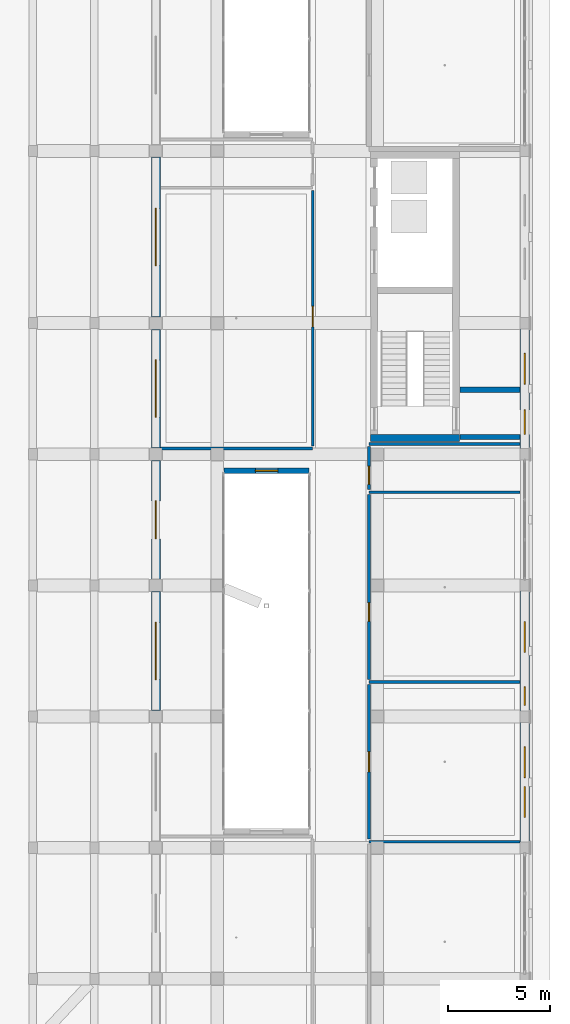
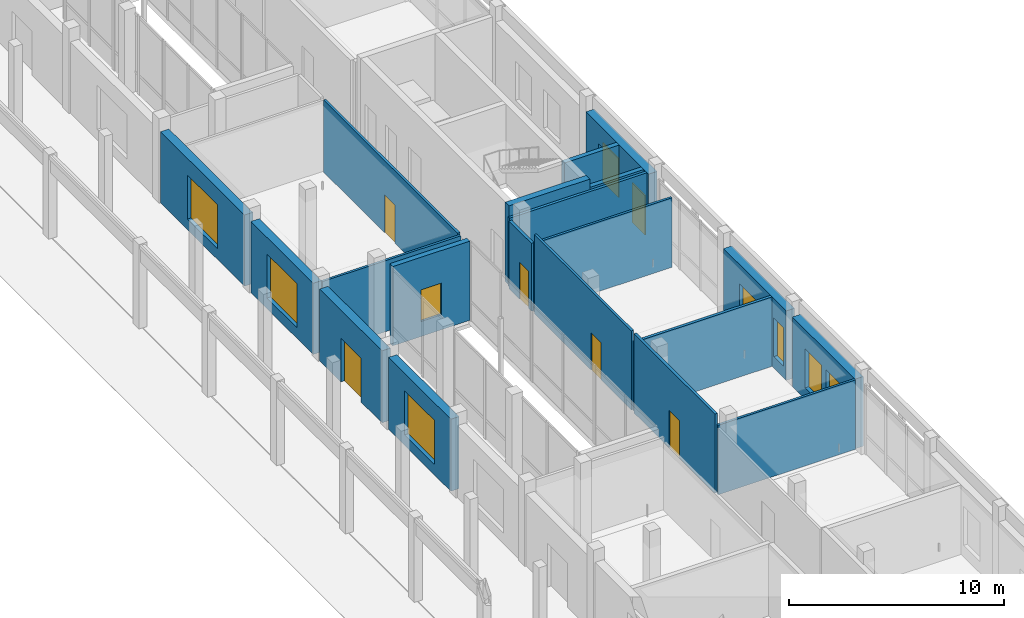
# One storey, part 53 of 88: 20 walls, 9 windows, 6 doors, 15 openings.
"""IFC4 building model written with IfcOpenShell, lengths in metres."""

from ifc_helpers import new_model, si_unit, derived_unit, direction, frame, frame_2d, origin, origin_with_axes, place, context, subcontext, project, spatial, rectangle, extrude, material, layer, layer_set, type_object, element, fill, save


model = new_model("IFC4")

# Units and contexts
model_context = context("Model", 3, precision=1e-05, world=origin(), true_north=direction((0.0, 1.0)))
body_context = subcontext(model_context, "Body", "Model", "MODEL_VIEW")
ifc_project = project(units=[si_unit("LENGTHUNIT", "METRE"), si_unit("AREAUNIT", "SQUARE_METRE"), si_unit("VOLUMEUNIT", "CUBIC_METRE"), si_unit("PLANEANGLEUNIT", "RADIAN"), si_unit("MASSUNIT", "GRAM", prefix="KILO"), derived_unit("THERMALTRANSMITTANCEUNIT", [(si_unit("POWERUNIT", "WATT"), 1), (si_unit("LENGTHUNIT", "METRE"), -2), (si_unit("THERMODYNAMICTEMPERATUREUNIT", "KELVIN"), -1)])], contexts=[model_context])

# Site, building, storey
site_placement = place(None, origin())
site = spatial("IfcSite", under=ifc_project, at=site_placement, CompositionType="ELEMENT")
building_placement = place(site_placement, origin())
building = spatial("IfcBuilding", under=site, at=building_placement, Name="Braskholm Square Health Centre", CompositionType="ELEMENT")
storey_placement = place(building_placement, origin())
storey = spatial("IfcBuildingStorey", under=building, at=storey_placement, Name="L01", CompositionType="ELEMENT", Elevation=0.0)

# Wall
ifc_material_1 = material(Name="Acoustic gypsum board partition")
ifc_layer_1 = layer(ifc_material_1, 0.125)
ifc_layer_set_1 = layer_set([ifc_layer_1], Name="Acoustic gypsum board partition")
wall_type_1 = type_object("IfcWallType", Name="ClinicalExamPartition125", PredefinedType="PARTITIONING", material=ifc_layer_set_1)
wall_1_placement = place(storey_placement, frame((156.199951171875, 30.10009765625, 0.0), z_axis=(0.0, 0.0, 1.0), x_axis=(1.0, 0.0, 0.0)))
element("IfcWall", 1, at=wall_1_placement, inside=storey, type_object=wall_type_1, Name="Interior partition PWALL-L01-0296", PredefinedType="PARTITIONING", context=body_context, shape_type="SweptSolid", body=[
    extrude(rectangle(XDim=7.375, YDim=0.125, at=frame_2d((3.6875, 0.0))), origin(), (0.0, 0.0, 1.0), 3.945068359375),
])

# Wall, opening, door
wall_2_placement = place(storey_placement, frame((156.199951171875, 38.0, 0.0), z_axis=(0.0, 0.0, 1.0), x_axis=(0.0, 1.0, 0.0)))
wall_2 = element("IfcWall", 2, at=wall_2_placement, inside=storey, type_object=wall_type_1, Name="Interior partition PWALL-L01-0299", PredefinedType="PARTITIONING", context=body_context, shape_type="SweptSolid", body=[
    extrude(rectangle(XDim=9.030029296875, YDim=0.125, at=frame_2d((4.51513671875, 0.0))), origin(), (0.0, 0.0, 1.0), 4.4951171875),
])
opening_1_placement = place(wall_2_placement, frame((2.846923828125, 0.0, 0.0)))
opening_1 = element("IfcOpeningElement", 3, at=opening_1_placement, cuts=wall_2, Name="Opening D-07", PredefinedType="OPENING", context=body_context, shape_type="SweptSolid", body=[
    extrude(rectangle(XDim=0.89990234375, YDim=2.1201171875, at=frame_2d((0.449951171875, 1.06005859375))), frame((0.0, 0.072509765625, 0.0), z_axis=(0.0, -1.0, 0.0), x_axis=(1.0, 0.0, 0.0)), (0.0, 0.0, 1.0), 0.14501953125),
])
ifc_material_2 = material(Name="Architectural bronze anodised aluminium", Category="aluminium")
door_type_1 = type_object("IfcDoorType", Name="DoorProviderOffice900x2120", OperationType="NOTDEFINED", PredefinedType="DOOR", material=ifc_material_2)
door_1_placement = place(opening_1_placement, frame((0.89990234375, 0.0, 0.0), z_axis=(0.0, 0.0, 1.0), x_axis=(-1.0, 0.0, 0.0)))
door_1 = element("IfcDoor", 4, at=door_1_placement, inside=storey, type_object=door_type_1, Name="Interior door 0139 L01", OperationType="SINGLE_SWING_LEFT", OverallHeight=2.1201171875, OverallWidth=0.89990234375, PredefinedType="DOOR", context=body_context, shape_type="SweptSolid", body=[
    extrude(rectangle(XDim=0.89990234375, YDim=2.1201171875, at=frame_2d((0.449951171875, 1.06005859375))), frame((0.0, 0.02490234375, 0.0), z_axis=(0.0, -1.0, 0.0), x_axis=(1.0, 0.0, 0.0)), (0.0, 0.0, 1.0), 0.050048828125),
])
fill(opening_1, door_1)

# Wall
wall_3_placement = place(storey_placement, frame((156.199951171875, 47.14990234375, 0.0), z_axis=(0.0, 0.0, 1.0), x_axis=(1.0, 0.0, 0.0)))
element("IfcWall", 5, at=wall_3_placement, inside=storey, type_object=wall_type_1, Name="Interior partition PWALL-L01-0300", PredefinedType="PARTITIONING", context=body_context, shape_type="SweptSolid", body=[
    extrude(rectangle(XDim=7.375, YDim=0.125, at=frame_2d((3.6875, 0.0))), origin(), (0.0, 0.0, 1.0), 3.945068359375),
])

# Wall, opening, door
wall_4_placement = place(storey_placement, frame((153.449951171875, 49.39990234375, 0.0), z_axis=(0.0, 0.0, 1.0), x_axis=(0.0, 1.0, 0.0)))
wall_4 = element("IfcWall", 6, at=wall_4_placement, inside=storey, type_object=wall_type_1, Name="Interior partition PWALL-L01-0323", PredefinedType="PARTITIONING", context=body_context, shape_type="SweptSolid", body=[
    extrude(rectangle(XDim=12.47998046875, YDim=0.125, at=frame_2d((6.239990234375, 0.0))), origin(), (0.0, 0.0, 1.0), 4.094970703125),
])
opening_2_placement = place(wall_4_placement, frame((5.81494140625, 0.0, 0.0)))
opening_2 = element("IfcOpeningElement", 7, at=opening_2_placement, cuts=wall_4, Name="Opening D-02", PredefinedType="OPENING", context=body_context, shape_type="SweptSolid", body=[
    extrude(rectangle(XDim=1.0, YDim=2.14990234375, at=frame_2d((0.5, 1.074951171875))), frame((0.0, 0.072509765625, 0.0), z_axis=(0.0, -1.0, 0.0), x_axis=(1.0, 0.0, 0.0)), (0.0, 0.0, 1.0), 0.14501953125),
])
door_type_2 = type_object("IfcDoorType", Name="DoorExamSingle1000x2150", OperationType="NOTDEFINED", PredefinedType="DOOR", material=ifc_material_2)
door_2_placement = place(opening_2_placement, origin_with_axes())
door_2 = element("IfcDoor", 8, at=door_2_placement, inside=storey, type_object=door_type_2, Name="Interior door 0151 L01", OperationType="SINGLE_SWING_LEFT", OverallHeight=2.14990234375, OverallWidth=1.0, PredefinedType="DOOR", context=body_context, shape_type="SweptSolid", body=[
    extrude(rectangle(XDim=1.0, YDim=2.14990234375, at=frame_2d((0.5, 1.074951171875))), frame((0.0, 0.02490234375, 0.0), z_axis=(0.0, -1.0, 0.0), x_axis=(1.0, 0.0, 0.0)), (0.0, 0.0, 1.0), 0.050048828125),
])
fill(opening_2, door_2)

# Wall
wall_5_placement = place(storey_placement, frame((146.02490234375, 49.280029296875, 0.0), z_axis=(0.0, 0.0, 1.0), x_axis=(1.0, 0.0, 0.0)))
element("IfcWall", 9, at=wall_5_placement, inside=storey, type_object=wall_type_1, Name="Interior partition PWALL-L01-0324", PredefinedType="PARTITIONING", context=body_context, shape_type="SweptSolid", body=[
    extrude(rectangle(XDim=7.425048828125, YDim=0.125, at=frame_2d((3.71240234375, 0.0))), origin(), (0.0, 0.0, 1.0), 4.034912109375),
])

# Wall, opening, door
ifc_layer_2 = layer(ifc_material_1, 0.14990234375)
ifc_layer_set_2 = layer_set([ifc_layer_2], Name="Acoustic gypsum board partition")
wall_type_2 = type_object("IfcWallType", Name="CorridorAcousticPartition150", PredefinedType="PARTITIONING", material=ifc_layer_set_2)
wall_6_placement = place(storey_placement, frame((156.199951171875, 30.219970703125, 0.0), z_axis=(0.0, 0.0, 1.0), x_axis=(0.0, 1.0, 0.0)))
wall_6 = element("IfcWall", 10, at=wall_6_placement, inside=storey, type_object=wall_type_2, Name="Interior partition PWALL-L01-0297", PredefinedType="PARTITIONING", context=body_context, shape_type="SweptSolid", body=[
    extrude(rectangle(XDim=7.5400390625, YDim=0.14990234375, at=frame_2d((3.77001953125, 0.0))), origin(), (0.0, 0.0, 1.0), 4.4951171875),
])
opening_3_placement = place(wall_6_placement, frame((3.280029296875, 0.0, 0.0)))
opening_3 = element("IfcOpeningElement", 11, at=opening_3_placement, cuts=wall_6, Name="Opening D-10", PredefinedType="OPENING", context=body_context, shape_type="SweptSolid", body=[
    extrude(rectangle(XDim=0.97998046875, YDim=2.1201171875, at=frame_2d((0.489990234375, 1.06005859375))), frame((0.0, 0.0849609375, 0.0), z_axis=(0.0, -1.0, 0.0), x_axis=(1.0, 0.0, 0.0)), (0.0, 0.0, 1.0), 0.169921875),
])
door_type_3 = type_object("IfcDoorType", Name="DoorUtilityStore980x2120", OperationType="NOTDEFINED", PredefinedType="DOOR", material=ifc_material_2)
door_3_placement = place(opening_3_placement, frame((0.97998046875, 0.0, 0.0), z_axis=(0.0, 0.0, 1.0), x_axis=(-1.0, 0.0, 0.0)))
door_3 = element("IfcDoor", 12, at=door_3_placement, inside=storey, type_object=door_type_3, Name="Interior door 0138 L01", OperationType="SINGLE_SWING_RIGHT", OverallHeight=2.1201171875, OverallWidth=0.97998046875, PredefinedType="DOOR", context=body_context, shape_type="SweptSolid", body=[
    extrude(rectangle(XDim=0.97998046875, YDim=2.1201171875, at=frame_2d((0.489990234375, 1.06005859375))), frame((0.0, 0.02490234375, 0.0), z_axis=(0.0, -1.0, 0.0), x_axis=(1.0, 0.0, 0.0)), (0.0, 0.0, 1.0), 0.050048828125),
])
fill(opening_3, door_3)

# Wall
wall_7_placement = place(storey_placement, frame((156.199951171875, 37.8798828125, 0.0), z_axis=(0.0, 0.0, 1.0), x_axis=(1.0, 0.0, 0.0)))
element("IfcWall", 13, at=wall_7_placement, inside=storey, type_object=wall_type_2, Name="Interior partition PWALL-L01-0298", PredefinedType="PARTITIONING", context=body_context, shape_type="SweptSolid", body=[
    extrude(rectangle(XDim=7.375, YDim=0.14990234375, at=frame_2d((3.6875, 0.0))), origin(), (0.0, 0.0, 1.0), 3.945068359375),
])

# Wall, opening, door
wall_8_placement = place(storey_placement, frame((156.199951171875, 47.27001953125, 0.0), z_axis=(0.0, 0.0, 1.0), x_axis=(0.0, 1.0, 0.0)))
wall_8 = element("IfcWall", 14, at=wall_8_placement, inside=storey, type_object=wall_type_2, Name="Interior partition PWALL-L01-0301", PredefinedType="PARTITIONING", context=body_context, shape_type="SweptSolid", body=[
    extrude(rectangle(XDim=2.10986328125, YDim=0.14990234375, at=frame_2d((1.054931640625, 0.0))), origin(), (0.0, 0.0, 1.0), 3.844970703125),
])
opening_4_placement = place(wall_8_placement, frame((0.260009765625, 0.0, 0.0)))
opening_4 = element("IfcOpeningElement", 15, at=opening_4_placement, cuts=wall_8, Name="Opening D-06", PredefinedType="OPENING", context=body_context, shape_type="SweptSolid", body=[
    extrude(rectangle(XDim=0.8798828125, YDim=2.10009765625, at=frame_2d((0.43994140625, 1.050048828125))), frame((0.0, 0.0849609375, 0.0), z_axis=(0.0, -1.0, 0.0), x_axis=(1.0, 0.0, 0.0)), (0.0, 0.0, 1.0), 0.169921875),
])
door_type_4 = type_object("IfcDoorType", Name="DoorStaffWC880x2100", OperationType="NOTDEFINED", PredefinedType="DOOR", material=ifc_material_2)
door_4_placement = place(opening_4_placement, frame((0.8798828125, 0.0, 0.0), z_axis=(0.0, 0.0, 1.0), x_axis=(-1.0, 0.0, 0.0)))
door_4 = element("IfcDoor", 16, at=door_4_placement, inside=storey, type_object=door_type_4, Name="Interior door 0140 L01", OperationType="SINGLE_SWING_RIGHT", OverallHeight=2.10009765625, OverallWidth=0.8798828125, PredefinedType="DOOR", context=body_context, shape_type="SweptSolid", body=[
    extrude(rectangle(XDim=0.8798828125, YDim=2.10009765625, at=frame_2d((0.43994140625, 1.050048828125))), frame((0.0, 0.02490234375, 0.0), z_axis=(0.0, -1.0, 0.0), x_axis=(1.0, 0.0, 0.0)), (0.0, 0.0, 1.0), 0.050048828125),
])
fill(opening_4, door_4)

# Wall
wall_9_placement = place(storey_placement, frame((156.199951171875, 49.5, 0.0), z_axis=(0.0, 0.0, 1.0), x_axis=(1.0, 0.0, 0.0)))
element("IfcWall", 17, at=wall_9_placement, inside=storey, type_object=wall_type_2, Name="Interior partition PWALL-L01-0302", PredefinedType="PARTITIONING", context=body_context, shape_type="SweptSolid", body=[
    extrude(rectangle(XDim=7.375, YDim=0.14990234375, at=frame_2d((3.6875, 0.0))), origin(), (0.0, 0.0, 1.0), 3.945068359375),
])

# Wall, openings, windows
ifc_material_3 = material(Name="Mankato-Kasota dolomitic limestone ashlar", Category="masonry")
ifc_layer_3 = layer(ifc_material_3, 0.449951171875)
ifc_layer_set_3 = layer_set([ifc_layer_3], Name="Mankato-Kasota dolomitic limestone ashlar")
wall_type_3 = type_object("IfcWallType", Name="ExteriorKasotaWall450", PredefinedType="SOLIDWALL", material=ifc_layer_set_3)
wall_10_placement = place(storey_placement, frame((163.800048828125, 30.08203125, 0.0), z_axis=(0.0, 0.0, 1.0), x_axis=(0.0, 1.0, 0.0)))
wall_10 = element("IfcWall", 18, at=wall_10_placement, inside=storey, type_object=wall_type_3, Name="Exterior wall EWALL-L01-0054", PredefinedType="SOLIDWALL", context=body_context, shape_type="SweptSolid", body=[
    extrude(rectangle(XDim=5.8359375, YDim=0.449951171875, at=frame_2d((2.91796875, 0.0))), origin(), (0.0, 0.0, 1.0), 3.949951171875),
])
opening_5_placement = place(wall_10_placement, frame((1.195068359375, 0.0, 0.64990234375)))
opening_5 = element("IfcOpeningElement", 19, at=opening_5_placement, cuts=wall_10, Name="Opening WN-03", PredefinedType="OPENING", context=body_context, shape_type="SweptSolid", body=[
    extrude(rectangle(XDim=1.5, YDim=2.199951171875, at=frame_2d((0.75, 1.10009765625))), frame((0.0, 0.23486328125, 0.0), z_axis=(0.0, -1.0, 0.0), x_axis=(1.0, 0.0, 0.0)), (0.0, 0.0, 1.0), 0.469970703125),
])
opening_6_placement = place(wall_10_placement, frame((3.14111328125, 0.0, 0.64990234375)))
opening_6 = element("IfcOpeningElement", 20, at=opening_6_placement, cuts=wall_10, Name="Opening WN-03", PredefinedType="OPENING", context=body_context, shape_type="SweptSolid", body=[
    extrude(rectangle(XDim=1.5, YDim=2.199951171875, at=frame_2d((0.75, 1.10009765625))), frame((0.0, 0.23486328125, 0.0), z_axis=(0.0, -1.0, 0.0), x_axis=(1.0, 0.0, 0.0)), (0.0, 0.0, 1.0), 0.469970703125),
])
ifc_material_4 = material(Name="Low-E triple insulating glass (VLT 0.64)", Category="glass")
window_type_1 = type_object("IfcWindowType", Name="WinArtDecoTwin1500x2200", PartitioningType="SINGLE_PANEL", PredefinedType="WINDOW", material=ifc_material_4)
window_1_placement = place(opening_5_placement, origin_with_axes())
window_1 = element("IfcWindow", 21, at=window_1_placement, inside=storey, type_object=window_type_1, Name="Exterior window 0093 L01", OverallHeight=2.199951171875, OverallWidth=1.5, PartitioningType="SINGLE_PANEL", PredefinedType="WINDOW", context=body_context, shape_type="SweptSolid", body=[
    extrude(rectangle(XDim=1.5, YDim=2.199951171875, at=frame_2d((0.75, 1.10009765625))), frame((0.0, 0.030029296875, 0.0), z_axis=(0.0, -1.0, 0.0), x_axis=(1.0, 0.0, 0.0)), (0.0, 0.0, 1.0), 0.06005859375),
])
fill(opening_5, window_1)
window_2_placement = place(opening_6_placement, origin_with_axes())
window_2 = element("IfcWindow", 22, at=window_2_placement, inside=storey, type_object=window_type_1, Name="Exterior window 0094 L01", OverallHeight=2.199951171875, OverallWidth=1.5, PartitioningType="SINGLE_PANEL", PredefinedType="WINDOW", context=body_context, shape_type="SweptSolid", body=[
    extrude(rectangle(XDim=1.5, YDim=2.199951171875, at=frame_2d((0.75, 1.10009765625))), frame((0.0, 0.030029296875, 0.0), z_axis=(0.0, -1.0, 0.0), x_axis=(1.0, 0.0, 0.0)), (0.0, 0.0, 1.0), 0.06005859375),
])
fill(opening_6, window_2)

wall_11_placement = place(storey_placement, frame((163.800048828125, 36.48193359375, 0.0), z_axis=(0.0, 0.0, 1.0), x_axis=(0.0, 1.0, 0.0)))
wall_11 = element("IfcWall", 23, at=wall_11_placement, inside=storey, type_object=wall_type_3, Name="Exterior wall EWALL-L01-0055", PredefinedType="SOLIDWALL", context=body_context, shape_type="SweptSolid", body=[
    extrude(rectangle(XDim=5.836181640625, YDim=0.449951171875, at=frame_2d((2.91796875, 0.0))), origin(), (0.0, 0.0, 1.0), 3.949951171875),
])
opening_7_placement = place(wall_11_placement, frame((0.261962890625, 0.0, 0.64990234375)))
opening_7 = element("IfcOpeningElement", 24, at=opening_7_placement, cuts=wall_11, Name="Opening WN-01", PredefinedType="OPENING", context=body_context, shape_type="SweptSolid", body=[
    extrude(rectangle(XDim=0.89990234375, YDim=2.199951171875, at=frame_2d((0.449951171875, 1.10009765625))), frame((0.0, 0.23486328125, 0.0), z_axis=(0.0, -1.0, 0.0), x_axis=(1.0, 0.0, 0.0)), (0.0, 0.0, 1.0), 0.469970703125),
])
opening_8_placement = place(wall_11_placement, frame((2.85400390625, 0.0, 0.64990234375)))
opening_8 = element("IfcOpeningElement", 25, at=opening_8_placement, cuts=wall_11, Name="Opening WN-03", PredefinedType="OPENING", context=body_context, shape_type="SweptSolid", body=[
    extrude(rectangle(XDim=1.5, YDim=2.199951171875, at=frame_2d((0.75, 1.10009765625))), frame((0.0, 0.23486328125, 0.0), z_axis=(0.0, -1.0, 0.0), x_axis=(1.0, 0.0, 0.0)), (0.0, 0.0, 1.0), 0.469970703125),
])
window_type_2 = type_object("IfcWindowType", Name="WinArtDecoLancet900x2200", PartitioningType="SINGLE_PANEL", PredefinedType="WINDOW", material=ifc_material_4)
window_3_placement = place(opening_7_placement, origin_with_axes())
window_3 = element("IfcWindow", 26, at=window_3_placement, inside=storey, type_object=window_type_2, Name="Exterior window 0095 L01", OverallHeight=2.199951171875, OverallWidth=0.89990234375, PartitioningType="SINGLE_PANEL", PredefinedType="WINDOW", context=body_context, shape_type="SweptSolid", body=[
    extrude(rectangle(XDim=0.89990234375, YDim=2.199951171875, at=frame_2d((0.449951171875, 1.10009765625))), frame((0.0, 0.030029296875, 0.0), z_axis=(0.0, -1.0, 0.0), x_axis=(1.0, 0.0, 0.0)), (0.0, 0.0, 1.0), 0.06005859375),
])
fill(opening_7, window_3)
window_4_placement = place(opening_8_placement, origin_with_axes())
window_4 = element("IfcWindow", 27, at=window_4_placement, inside=storey, type_object=window_type_1, Name="Exterior window 0096 L01", OverallHeight=2.199951171875, OverallWidth=1.5, PartitioningType="SINGLE_PANEL", PredefinedType="WINDOW", context=body_context, shape_type="SweptSolid", body=[
    extrude(rectangle(XDim=1.5, YDim=2.199951171875, at=frame_2d((0.75, 1.10009765625))), frame((0.0, 0.030029296875, 0.0), z_axis=(0.0, -1.0, 0.0), x_axis=(1.0, 0.0, 0.0)), (0.0, 0.0, 1.0), 0.06005859375),
])
fill(opening_8, window_4)

# Wall, openings, door, window
wall_12_placement = place(storey_placement, frame((163.800048828125, 49.281982421875, 0.0), z_axis=(0.0, 0.0, 1.0), x_axis=(0.0, 1.0, 0.0)))
wall_12 = element("IfcWall", 28, at=wall_12_placement, inside=storey, type_object=wall_type_3, Name="Exterior wall EWALL-L01-0056", PredefinedType="SOLIDWALL", context=body_context, shape_type="SweptSolid", body=[
    extrude(rectangle(XDim=5.8359375, YDim=0.449951171875, at=frame_2d((2.91796875, 0.0))), origin(), (0.0, 0.0, 1.0), 3.949951171875),
])
opening_9_placement = place(wall_12_placement, frame((0.68408203125, 0.0, 0.0)))
opening_9 = element("IfcOpeningElement", 29, at=opening_9_placement, cuts=wall_12, Name="Opening D-E3", PredefinedType="OPENING", context=body_context, shape_type="SweptSolid", body=[
    extrude(rectangle(XDim=1.199951171875, YDim=2.25, at=frame_2d((0.60009765625, 1.125))), frame((0.0, 0.23486328125, 0.0), z_axis=(0.0, -1.0, 0.0), x_axis=(1.0, 0.0, 0.0)), (0.0, 0.0, 1.0), 0.469970703125),
])
opening_10_placement = place(wall_12_placement, frame((3.14111328125, 0.0, 0.64990234375)))
opening_10 = element("IfcOpeningElement", 30, at=opening_10_placement, cuts=wall_12, Name="Opening WN-03", PredefinedType="OPENING", context=body_context, shape_type="SweptSolid", body=[
    extrude(rectangle(XDim=1.5, YDim=2.199951171875, at=frame_2d((0.75, 1.10009765625))), frame((0.0, 0.23486328125, 0.0), z_axis=(0.0, -1.0, 0.0), x_axis=(1.0, 0.0, 0.0)), (0.0, 0.0, 1.0), 0.469970703125),
])
door_type_5 = type_object("IfcDoorType", Name="DoorStairExitDischarge1200x2250", OperationType="NOTDEFINED", PredefinedType="DOOR", material=ifc_material_2)
door_5_placement = place(opening_9_placement, frame((1.199951171875, 0.0, 0.0), z_axis=(0.0, 0.0, 1.0), x_axis=(-1.0, 0.0, 0.0)))
door_5 = element("IfcDoor", 31, at=door_5_placement, inside=storey, type_object=door_type_5, Name="Exterior door 0005 L01", OperationType="SINGLE_SWING_RIGHT", OverallHeight=2.25, OverallWidth=1.199951171875, PredefinedType="DOOR", context=body_context, shape_type="SweptSolid", body=[
    extrude(rectangle(XDim=1.199951171875, YDim=2.25, at=frame_2d((0.60009765625, 1.125))), frame((0.0, 0.02490234375, 0.0), z_axis=(0.0, -1.0, 0.0), x_axis=(1.0, 0.0, 0.0)), (0.0, 0.0, 1.0), 0.050048828125),
])
fill(opening_9, door_5)
window_5_placement = place(opening_10_placement, origin_with_axes())
window_5 = element("IfcWindow", 32, at=window_5_placement, inside=storey, type_object=window_type_1, Name="Exterior window 0097 L01", OverallHeight=2.199951171875, OverallWidth=1.5, PartitioningType="SINGLE_PANEL", PredefinedType="WINDOW", context=body_context, shape_type="SweptSolid", body=[
    extrude(rectangle(XDim=1.5, YDim=2.199951171875, at=frame_2d((0.75, 1.10009765625))), frame((0.0, 0.030029296875, 0.0), z_axis=(0.0, -1.0, 0.0), x_axis=(1.0, 0.0, 0.0)), (0.0, 0.0, 1.0), 0.06005859375),
])
fill(opening_10, window_5)

# Wall, opening, window
wall_13_placement = place(storey_placement, frame((145.800048828125, 42.298095703125, 0.0), z_axis=(0.0, 0.0, 1.0), x_axis=(0.0, -1.0, 0.0)))
wall_13 = element("IfcWall", 33, at=wall_13_placement, inside=storey, type_object=wall_type_3, Name="Exterior wall EWALL-L01-0162", PredefinedType="SOLIDWALL", context=body_context, shape_type="SweptSolid", body=[
    extrude(rectangle(XDim=5.796142578125, YDim=0.449951171875, at=frame_2d((2.89794921875, 0.0))), origin(), (0.0, 0.0, 1.0), 4.090087890625),
])
opening_11_placement = place(wall_13_placement, frame((1.498046875, 0.0, 0.60009765625)))
opening_11 = element("IfcOpeningElement", 34, at=opening_11_placement, cuts=wall_13, Name="Opening WN-06", PredefinedType="OPENING", context=body_context, shape_type="SweptSolid", body=[
    extrude(rectangle(XDim=2.800048828125, YDim=2.5, at=frame_2d((1.39990234375, 1.25))), frame((0.0, 0.23486328125, 0.0), z_axis=(0.0, -1.0, 0.0), x_axis=(1.0, 0.0, 0.0)), (0.0, 0.0, 1.0), 0.469970703125),
])
window_type_3 = type_object("IfcWindowType", Name="WinStorefrontWide2800x2500", PartitioningType="SINGLE_PANEL", PredefinedType="WINDOW", material=ifc_material_4)
window_6_placement = place(opening_11_placement, origin_with_axes())
window_6 = element("IfcWindow", 35, at=window_6_placement, inside=storey, type_object=window_type_3, Name="Exterior window 0227 L01", OverallHeight=2.5, OverallWidth=2.800048828125, PartitioningType="SINGLE_PANEL", PredefinedType="WINDOW", context=body_context, shape_type="SweptSolid", body=[
    extrude(rectangle(XDim=2.800048828125, YDim=2.5, at=frame_2d((1.39990234375, 1.25))), frame((0.0, 0.030029296875, 0.0), z_axis=(0.0, -1.0, 0.0), x_axis=(1.0, 0.0, 0.0)), (0.0, 0.0, 1.0), 0.06005859375),
])
fill(opening_11, window_6)

# Wall, opening, door
wall_14_placement = place(storey_placement, frame((145.800048828125, 48.697998046875, 0.0), z_axis=(0.0, 0.0, 1.0), x_axis=(0.0, -1.0, 0.0)))
wall_14 = element("IfcWall", 36, at=wall_14_placement, inside=storey, type_object=wall_type_3, Name="Exterior wall EWALL-L01-0163", PredefinedType="SOLIDWALL", context=body_context, shape_type="SweptSolid", body=[
    extrude(rectangle(XDim=5.7958984375, YDim=0.449951171875, at=frame_2d((2.89794921875, 0.0))), origin(), (0.0, 0.0, 1.0), 4.090087890625),
])
opening_12_placement = place(wall_14_placement, frame((1.968017578125, 0.0, 0.0)))
opening_12 = element("IfcOpeningElement", 37, at=opening_12_placement, cuts=wall_14, Name="Opening D-E2", PredefinedType="OPENING", context=body_context, shape_type="SweptSolid", body=[
    extrude(rectangle(XDim=1.860107421875, YDim=2.5, at=frame_2d((0.93017578125, 1.25))), frame((0.0, 0.23486328125, 0.0), z_axis=(0.0, -1.0, 0.0), x_axis=(1.0, 0.0, 0.0)), (0.0, 0.0, 1.0), 0.469970703125),
])
door_type_6 = type_object("IfcDoorType", Name="DoorSquareEntrancePair1860x2500", OperationType="DOUBLE_DOOR_SINGLE_SWING", PredefinedType="DOOR", material=ifc_material_4)
door_6_placement = place(opening_12_placement, frame((1.860107421875, 0.0, 0.0), z_axis=(0.0, 0.0, 1.0), x_axis=(-1.0, 0.0, 0.0)))
door_6 = element("IfcDoor", 38, at=door_6_placement, inside=storey, type_object=door_type_6, Name="Exterior door 0022 L01", OperationType="DOUBLE_DOOR_SINGLE_SWING", OverallHeight=2.5, OverallWidth=1.860107421875, PredefinedType="DOOR", context=body_context, shape_type="SweptSolid", body=[
    extrude(rectangle(XDim=1.860107421875, YDim=2.5, at=frame_2d((0.93017578125, 1.25))), frame((0.0, 0.02490234375, 0.0), z_axis=(0.0, -1.0, 0.0), x_axis=(1.0, 0.0, 0.0)), (0.0, 0.0, 1.0), 0.050048828125),
])
fill(opening_12, door_6)

# Wall, opening, window
wall_15_placement = place(storey_placement, frame((145.800048828125, 55.097900390625, 0.0), z_axis=(0.0, 0.0, 1.0), x_axis=(0.0, -1.0, 0.0)))
wall_15 = element("IfcWall", 39, at=wall_15_placement, inside=storey, type_object=wall_type_3, Name="Exterior wall EWALL-L01-0164", PredefinedType="SOLIDWALL", context=body_context, shape_type="SweptSolid", body=[
    extrude(rectangle(XDim=5.7958984375, YDim=0.449951171875, at=frame_2d((2.89794921875, 0.0))), origin(), (0.0, 0.0, 1.0), 4.0400390625),
])
opening_13_placement = place(wall_15_placement, frame((1.498046875, 0.0, 0.60009765625)))
opening_13 = element("IfcOpeningElement", 40, at=opening_13_placement, cuts=wall_15, Name="Opening WN-06", PredefinedType="OPENING", context=body_context, shape_type="SweptSolid", body=[
    extrude(rectangle(XDim=2.800048828125, YDim=2.5, at=frame_2d((1.39990234375, 1.25))), frame((0.0, 0.23486328125, 0.0), z_axis=(0.0, -1.0, 0.0), x_axis=(1.0, 0.0, 0.0)), (0.0, 0.0, 1.0), 0.469970703125),
])
window_7_placement = place(opening_13_placement, origin_with_axes())
window_7 = element("IfcWindow", 41, at=window_7_placement, inside=storey, type_object=window_type_3, Name="Exterior window 0228 L01", OverallHeight=2.5, OverallWidth=2.800048828125, PartitioningType="SINGLE_PANEL", PredefinedType="WINDOW", context=body_context, shape_type="SweptSolid", body=[
    extrude(rectangle(XDim=2.800048828125, YDim=2.5, at=frame_2d((1.39990234375, 1.25))), frame((0.0, 0.030029296875, 0.0), z_axis=(0.0, -1.0, 0.0), x_axis=(1.0, 0.0, 0.0)), (0.0, 0.0, 1.0), 0.06005859375),
])
fill(opening_13, window_7)

wall_16_placement = place(storey_placement, frame((145.800048828125, 63.498046875, 0.0), z_axis=(0.0, 0.0, 1.0), x_axis=(0.0, -1.0, 0.0)))
wall_16 = element("IfcWall", 42, at=wall_16_placement, inside=storey, type_object=wall_type_3, Name="Exterior wall EWALL-L01-0165", PredefinedType="SOLIDWALL", context=body_context, shape_type="SweptSolid", body=[
    extrude(rectangle(XDim=7.796142578125, YDim=0.449951171875, at=frame_2d((3.89794921875, 0.0))), origin(), (0.0, 0.0, 1.0), 4.0400390625),
])
opening_14_placement = place(wall_16_placement, frame((2.498046875, 0.0, 0.60009765625)))
opening_14 = element("IfcOpeningElement", 43, at=opening_14_placement, cuts=wall_16, Name="Opening WN-06", PredefinedType="OPENING", context=body_context, shape_type="SweptSolid", body=[
    extrude(rectangle(XDim=2.800048828125, YDim=2.5, at=frame_2d((1.39990234375, 1.25))), frame((0.0, 0.23486328125, 0.0), z_axis=(0.0, -1.0, 0.0), x_axis=(1.0, 0.0, 0.0)), (0.0, 0.0, 1.0), 0.469970703125),
])
window_8_placement = place(opening_14_placement, origin_with_axes())
window_8 = element("IfcWindow", 44, at=window_8_placement, inside=storey, type_object=window_type_3, Name="Exterior window 0229 L01", OverallHeight=2.5, OverallWidth=2.800048828125, PartitioningType="SINGLE_PANEL", PredefinedType="WINDOW", context=body_context, shape_type="SweptSolid", body=[
    extrude(rectangle(XDim=2.800048828125, YDim=2.5, at=frame_2d((1.39990234375, 1.25))), frame((0.0, 0.030029296875, 0.0), z_axis=(0.0, -1.0, 0.0), x_axis=(1.0, 0.0, 0.0)), (0.0, 0.0, 1.0), 0.06005859375),
])
fill(opening_14, window_8)

ifc_material_5 = material(Name="Precast concrete C40/50 architectural white", Category="concrete")
ifc_layer_4 = layer(ifc_material_5, 0.280029296875)
ifc_layer_set_4 = layer_set([ifc_layer_4], Name="Precast concrete C40/50 architectural white")
wall_type_4 = type_object("IfcWallType", Name="ExteriorPrecastSpandrelWall280", PredefinedType="SOLIDWALL", material=ifc_layer_set_4)
wall_17_placement = place(storey_placement, frame((149.134033203125, 48.199951171875, 0.0), z_axis=(0.0, 0.0, 1.0), x_axis=(1.0, 0.0, 0.0)))
wall_17 = element("IfcWall", 45, at=wall_17_placement, inside=storey, type_object=wall_type_4, Name="Exterior wall EWALL-L01-0308", PredefinedType="SOLIDWALL", context=body_context, shape_type="SweptSolid", body=[
    extrude(rectangle(XDim=4.132080078125, YDim=0.280029296875, at=frame_2d((2.06591796875, 0.0))), origin(), (0.0, 0.0, 1.0), 4.5),
])
opening_15_placement = place(wall_17_placement, frame((1.51611328125, 0.0, 0.85009765625)))
opening_15 = element("IfcOpeningElement", 46, at=opening_15_placement, cuts=wall_17, Name="Opening WN-26", PredefinedType="OPENING", context=body_context, shape_type="SweptSolid", body=[
    extrude(rectangle(XDim=1.10009765625, YDim=1.800048828125, at=frame_2d((0.550048828125, 0.89990234375))), frame((0.0, 0.14990234375, 0.0), z_axis=(0.0, -1.0, 0.0), x_axis=(1.0, 0.0, 0.0)), (0.0, 0.0, 1.0), 0.300048828125),
])
window_type_4 = type_object("IfcWindowType", Name="WinLightCourt1100x1800", PartitioningType="SINGLE_PANEL", PredefinedType="WINDOW", material=ifc_material_4)
window_9_placement = place(opening_15_placement, origin_with_axes())
window_9 = element("IfcWindow", 47, at=window_9_placement, inside=storey, type_object=window_type_4, Name="Exterior window 0354 L01", OverallHeight=1.800048828125, OverallWidth=1.10009765625, PartitioningType="SINGLE_PANEL", PredefinedType="WINDOW", context=body_context, shape_type="SweptSolid", body=[
    extrude(rectangle(XDim=1.10009765625, YDim=1.800048828125, at=frame_2d((0.550048828125, 0.89990234375))), frame((0.0, 0.030029296875, 0.0), z_axis=(0.0, -1.0, 0.0), x_axis=(1.0, 0.0, 0.0)), (0.0, 0.0, 1.0), 0.06005859375),
])
fill(opening_15, window_9)

# Walls
ifc_material_6 = material(Name="Concrete C35/45 (f'c = 35 MPa)", Category="concrete")
ifc_layer_5 = layer(ifc_material_6, 0.25)
ifc_layer_set_5 = layer_set([ifc_layer_5], Name="Concrete C35/45 (f'c = 35 MPa)")
wall_type_5 = type_object("IfcWallType", Name="FireBarrierWall250", PredefinedType="SOLIDWALL", material=ifc_layer_set_5)
for number, where, z_axis, x_axis, name in (
    (48, (160.6298828125, 49.85009765625, 0.0), (0.0, 0.0, 1.0), (1.0, 0.0, 0.0), "Interior partition PWALL-L01-0022"),
    (49, (160.6298828125, 52.14990234375, 0.0), (0.0, 0.0, 1.0), (1.0, 0.0, 0.0), "Interior partition PWALL-L01-0023"),
):
    element("IfcWall", number, at=place(storey_placement, frame(where, z_axis=z_axis, x_axis=x_axis)), inside=storey, type_object=wall_type_5, Name=name, PredefinedType="SOLIDWALL", context=body_context, shape_type="SweptSolid", body=[
        extrude(rectangle(XDim=2.945068359375, YDim=0.25, at=frame_2d((1.47265625, 0.0))), origin(), (0.0, 0.0, 1.0), 3.945068359375),
    ])
ifc_material_7 = material(Name="Concrete C40/50 (f'c = 40 MPa)", Category="concrete")
ifc_layer_6 = layer(ifc_material_7, 0.35009765625)
ifc_layer_set_6 = layer_set([ifc_layer_6], Name="Concrete C40/50 (f'c = 40 MPa)")
wall_type_6 = type_object("IfcWallType", Name="ShearCoreWall350", PredefinedType="SHEAR", material=ifc_layer_set_6)
wall_18_placement = place(storey_placement, frame((156.27490234375, 49.800048828125, 0.0), z_axis=(0.0, 0.0, 1.0), x_axis=(1.0, 0.0, 0.0)))
element("IfcWall", 50, at=wall_18_placement, inside=storey, type_object=wall_type_6, Name="CWALL-K4-L01 south wall", PredefinedType="SHEAR", context=body_context, shape_type="SweptSolid", body=[
    extrude(rectangle(XDim=4.35009765625, YDim=0.35009765625, at=frame_2d((2.175048828125, 0.0))), origin(), (0.0, 0.0, 1.0), 4.5),
])

save(model, "model.ifc")
